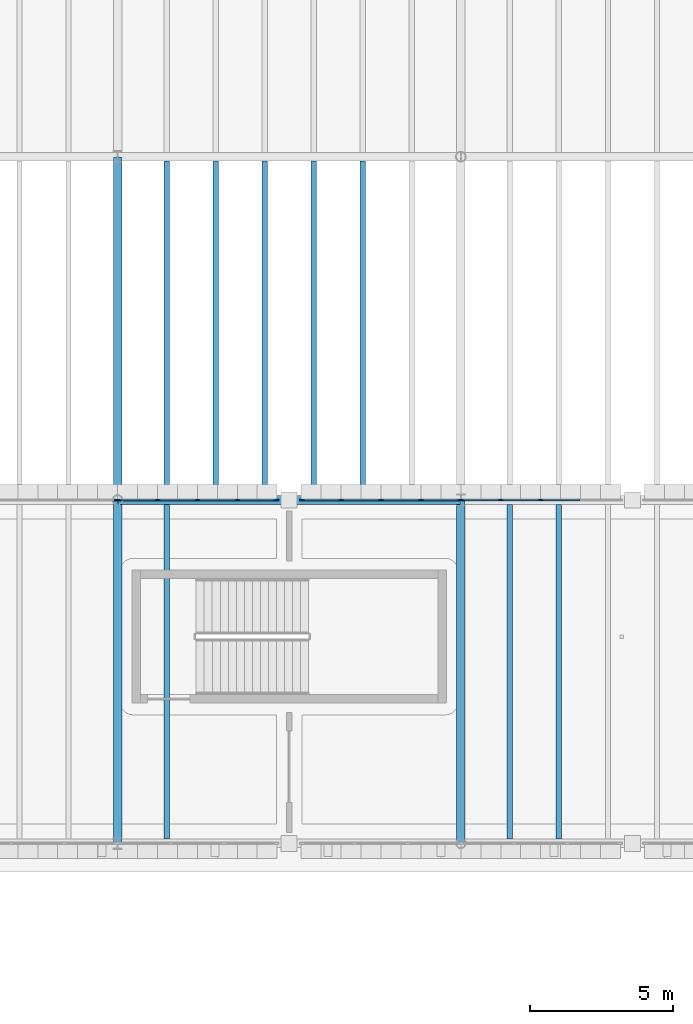
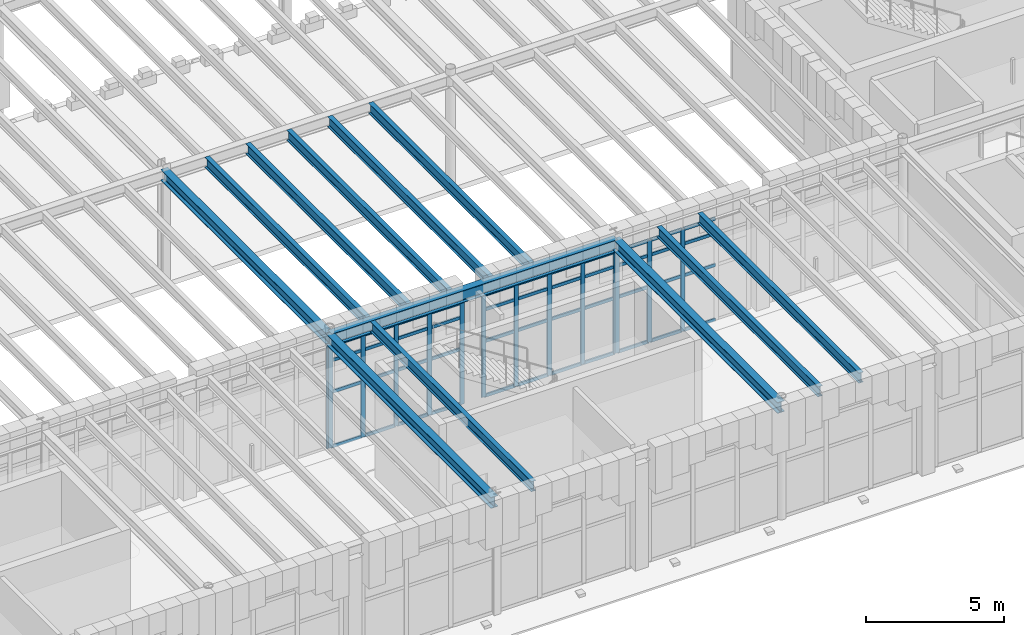
# One storey, part 34 of 100: 58 members, 12 beams, 4 elements without a shape of their own.
"""IFC4 building model written with IfcOpenShell, lengths in metres."""

import ifcopenshell
import ifcopenshell.guid

model = None  # the IFC model being written
_history = None  # IfcOwnerHistory: only IFC2X3 demands one
_inside = {}  # id of a spatial element -> (the spatial element, [elements in it])
_under = {}  # id of a project, library or spatial element -> (it, [spatial elements below it])
_declared = {}  # id of a project -> (the project, [libraries it declares])
_typed = {}  # id of a type object -> (the type object, [elements of that type])
_made_of = {}  # id of a material, layer set ... -> (it, [elements and type objects made of it])


def new_model(schema):
    """Start an empty IFC model of exactly this schema.

    Asked for "IFC4X3", IfcOpenShell would pick the latest addendum, in which some entities
    have other attributes; the version numbers below select the first issue.
    IFC2X3 requires an IfcOwnerHistory on every rooted entity: one is made here for all.
    """
    global model, _history
    if schema == "IFC4X3":
        model = ifcopenshell.file(schema_version=(4, 3, 0, 0))
    else:
        model = ifcopenshell.file(schema=schema)
    _inside.clear()
    _under.clear()
    _declared.clear()
    _typed.clear()
    _made_of.clear()
    _history = None
    if model.schema == "IFC2X3":
        org = make("IfcOrganization", Name="unknown")
        user = make(
            "IfcPersonAndOrganization",
            ThePerson=make("IfcPerson", FamilyName="unknown"),
            TheOrganization=org,
        )
        app = make(
            "IfcApplication",
            ApplicationDeveloper=org,
            Version="unknown",
            ApplicationFullName="unknown",
            ApplicationIdentifier="unknown",
        )
        _history = make(
            "IfcOwnerHistory",
            OwningUser=user,
            OwningApplication=app,
            ChangeAction="ADDED",
            CreationDate=0,
        )
    return model


def make(cls, **values):
    """One entity of the class cls with the attributes given. An attribute that is None is left unset."""
    return model.create_entity(
        cls, **{name: value for name, value in values.items() if value is not None}
    )


def rooted(cls, **values):
    """An entity with a GlobalId (a new one), such as an element, a storey or a relation."""
    return make(cls, GlobalId=ifcopenshell.guid.new(), OwnerHistory=_history, **values)


def si_unit(unit_type, name, prefix=None):
    """IfcSIUnit, for example si_unit("LENGTHUNIT", "METRE", prefix="MILLI")."""
    return make("IfcSIUnit", UnitType=unit_type, Prefix=prefix, Name=name)


def assignment(units):
    """IfcUnitAssignment: the units of a project."""
    return None if units is None else make("IfcUnitAssignment", Units=units)


def point(xyz):
    """IfcCartesianPoint."""
    return None if xyz is None else make("IfcCartesianPoint", Coordinates=xyz)


def direction(xyz):
    """IfcDirection."""
    return None if xyz is None else make("IfcDirection", DirectionRatios=xyz)


def frame(location, z_axis=None, x_axis=None):
    """IfcAxis2Placement3D, a coordinate frame: its origin and axes. An axis left out is left unset."""
    return make(
        "IfcAxis2Placement3D",
        Location=point(location),
        Axis=direction(z_axis),
        RefDirection=direction(x_axis),
    )


def frame_2d(location, x_axis=None):
    """IfcAxis2Placement2D, a coordinate frame in the plane: its origin and x axis."""
    return make(
        "IfcAxis2Placement2D", Location=point(location), RefDirection=direction(x_axis)
    )


def origin():
    """The frame at (0, 0, 0) with its axes left unset."""
    return frame((0.0, 0.0, 0.0))


def origin_2d():
    """The frame at (0, 0) in the plane with its x axis left unset."""
    return frame_2d((0.0, 0.0))


def place(relative_to, where):
    """IfcLocalPlacement: puts the frame where relative to a parent placement (None: the world)."""
    return make(
        "IfcLocalPlacement", PlacementRelTo=relative_to, RelativePlacement=where
    )


def context(
    kind, dimensions, precision=None, world=None, true_north=None, identifier=None
):
    """IfcGeometricRepresentationContext, for example the 3D "Model" context."""
    return make(
        "IfcGeometricRepresentationContext",
        ContextIdentifier=identifier,
        ContextType=kind,
        CoordinateSpaceDimension=dimensions,
        Precision=precision,
        WorldCoordinateSystem=world,
        TrueNorth=true_north,
    )


def subcontext(parent, identifier, kind, view, scale=None):
    """IfcGeometricRepresentationSubContext, for example "Body" below "Model"."""
    return make(
        "IfcGeometricRepresentationSubContext",
        ContextIdentifier=identifier,
        ContextType=kind,
        ParentContext=parent,
        TargetScale=scale,
        TargetView=view,
    )


def project(units=None, contexts=None):
    """IfcProject with its units and contexts."""
    return rooted(
        "IfcProject",
        Name="project",
        RepresentationContexts=contexts,
        UnitsInContext=assignment(units),
    )


def spatial(cls, under=None, at=None, **own):
    """A site, building, storey or space (cls), placed at a placement, below another one or the project."""
    s = rooted(cls, ObjectPlacement=at, **own)
    if under is not None:
        _under.setdefault(under.id(), (under, []))[1].append(s)
    return s


def profile(cls, at=None, kind="AREA", **sizes):
    """A parametric profile (cls). Its sizes go by their IFC names, for example OverallWidth=200.0."""
    return make(cls, ProfileType=kind, Position=at, **sizes)


def rectangle(**sizes):
    """IfcRectangleProfileDef."""
    return profile("IfcRectangleProfileDef", **sizes)


def i_section(**sizes):
    """IfcIShapeProfileDef."""
    return profile("IfcIShapeProfileDef", **sizes)


def extrude(swept, where, along, depth):
    """IfcExtrudedAreaSolid: the profile swept, set in the frame where, extruded along a direction by depth."""
    return make(
        "IfcExtrudedAreaSolid",
        SweptArea=swept,
        Position=where,
        ExtrudedDirection=direction(along),
        Depth=depth,
    )


def shape(context_of_items, identifier, shape_type, items):
    """IfcShapeRepresentation: the items that make up one representation, for example the "Body"."""
    return make(
        "IfcShapeRepresentation",
        ContextOfItems=context_of_items,
        RepresentationIdentifier=identifier,
        RepresentationType=shape_type,
        Items=items,
    )


def material(Name=None, Category=None):
    """IfcMaterial."""
    return make("IfcMaterial", Name=Name, Category=Category)


def layer(
    of_material, thickness, ventilated=None, Name=None, Category=None, Priority=None
):
    """IfcMaterialLayer: one layer of a wall or slab, of a material (None: an air gap)."""
    return make(
        "IfcMaterialLayer",
        Material=of_material,
        LayerThickness=thickness,
        IsVentilated=ventilated,
        Name=Name,
        Category=Category,
        Priority=Priority,
    )


def layer_set(layers, Name=None):
    """IfcMaterialLayerSet."""
    return make("IfcMaterialLayerSet", MaterialLayers=layers, LayerSetName=Name)


def material_profile(
    of_material, cross_section, Name=None, Category=None, Priority=None
):
    """IfcMaterialProfile: a cross section and its material."""
    return make(
        "IfcMaterialProfile",
        Name=Name,
        Material=of_material,
        Profile=cross_section,
        Priority=Priority,
        Category=Category,
    )


def profile_set(profiles, Name=None, composite=None):
    """IfcMaterialProfileSet."""
    return make(
        "IfcMaterialProfileSet",
        Name=Name,
        MaterialProfiles=profiles,
        CompositeProfile=composite,
    )


def made_of(thing, what):
    """Note that an element or type object is made of a material, layer set ...; save() writes the relation."""
    if what is not None:
        _made_of.setdefault(what.id(), (what, []))[1].append(thing)
    return thing


def type_object(cls, material=None, **own):
    """A type object (cls), such as IfcWallType, which elements share."""
    return made_of(rooted(cls, **own), material)


def element(
    cls,
    number,
    at=None,
    inside=None,
    cuts=None,
    type_object=None,
    material=None,
    context=None,
    identifier="Body",
    shape_type=None,
    held_by="IfcProductDefinitionShape",
    body=None,
    shapes=None,
    **own,
):
    """One element of the class cls, such as IfcWall. Its Tag is "e" and its number.

    at: its placement. inside: the storey or other place that contains it. cuts: it is an
    opening in that element (IfcRelVoidsElement). A single representation is given by context,
    identifier, shape_type and body (its items); several are given by shapes. held_by: the class
    of the entity that holds the representations. save() writes the other relations.
    """
    e = rooted(cls, Tag="e%d" % number, ObjectPlacement=at, **own)
    if body is not None:
        shapes = [shape(context, identifier, shape_type, body)]
    if shapes is not None:
        e.Representation = make(held_by, Representations=shapes)
    if inside is not None:
        _inside.setdefault(inside.id(), (inside, []))[1].append(e)
    if cuts is not None:
        rooted(
            "IfcRelVoidsElement", RelatingBuildingElement=cuts, RelatedOpeningElement=e
        )
    if type_object is not None:
        _typed.setdefault(type_object.id(), (type_object, []))[1].append(e)
    return made_of(e, material)


def aggregate(whole, parts):
    """IfcRelAggregates: a whole, such as a stair, and the parts it consists of."""
    return rooted("IfcRelAggregates", RelatingObject=whole, RelatedObjects=parts)


def save(model, path):
    """Write the relations noted so far, then the file.

    IfcRelAggregates (storeys below a building ...), IfcRelContainedInSpatialStructure (elements
    in a storey), IfcRelDefinesByType, IfcRelAssociatesMaterial and IfcRelDeclares: one each for
    every whole, place, type object, material and project.
    """
    for whole, parts in _under.values():
        aggregate(whole, parts)
    for where, things in _inside.values():
        rooted(
            "IfcRelContainedInSpatialStructure",
            RelatedElements=things,
            RelatingStructure=where,
        )
    for kind, things in _typed.values():
        rooted("IfcRelDefinesByType", RelatedObjects=things, RelatingType=kind)
    for what, things in _made_of.values():
        rooted("IfcRelAssociatesMaterial", RelatedObjects=things, RelatingMaterial=what)
    for by, libraries in _declared.values():
        rooted("IfcRelDeclares", RelatingContext=by, RelatedDefinitions=libraries)
    model.write(path)


model = new_model("IFC4")

# Units and contexts
model_context = context("Model", 3, precision=1e-05, world=origin(), true_north=direction((0.0, 1.0)))
body_context = subcontext(model_context, "Body", "Model", "MODEL_VIEW")
ifc_project = project(units=[si_unit("LENGTHUNIT", "METRE"), si_unit("AREAUNIT", "SQUARE_METRE"), si_unit("VOLUMEUNIT", "CUBIC_METRE"), si_unit("PLANEANGLEUNIT", "RADIAN"), si_unit("MASSUNIT", "GRAM", prefix="KILO")], contexts=[model_context])

# Site, building, storey
site_placement = place(None, origin())
site = spatial("IfcSite", under=ifc_project, at=site_placement, CompositionType="ELEMENT")
building_placement = place(site_placement, origin())
building = spatial("IfcBuilding", under=site, at=building_placement, Name="Zlatogorsky Bluff Art Gallery", CompositionType="ELEMENT")
storey_placement = place(building_placement, frame((0.0, 0.0, 5.39990234375)))
storey = spatial("IfcBuildingStorey", under=building, at=storey_placement, Name="L01", CompositionType="ELEMENT", Elevation=5.39990234375)

# Beams
ifc_material_1 = material(Name="Steel S355", Category="steel")
ifc_material_profile_1 = material_profile(ifc_material_1, i_section(OverallWidth=0.300048828125, OverallDepth=0.5400390625, WebThickness=0.012451171875, FlangeThickness=0.02392578125, FilletRadius=0.027099609375, at=origin_2d()), Name="HEA 550")
ifc_profile_set_1 = profile_set([ifc_material_profile_1], Name="Steel S355")
beam_type_1 = type_object("IfcBeamType", Name="Beam BM-06 HEA 550", PredefinedType="BEAM", material=ifc_profile_set_1)
beam_placement = place(storey_placement, frame((96.014892578125, 96.0, 4.840087890625), z_axis=(1.0, 0.0, 0.0), x_axis=(0.0, 1.0, 0.0)))
element("IfcBeam", 1, at=beam_placement, inside=storey, type_object=beam_type_1, Name="Primary girder BM-06 L01 J-K/10", PredefinedType="BEAM", context=body_context, shape_type="SweptSolid", body=[
    extrude(i_section(OverallWidth=0.300048828125, OverallDepth=0.5400390625, WebThickness=0.012451171875, FlangeThickness=0.02392578125, FilletRadius=0.027099609375, at=origin_2d()), origin(), (0.0, 0.0, 1.0), 11.97021484375),
])
ifc_material_profile_2 = material_profile(ifc_material_1, i_section(OverallWidth=0.300048828125, OverallDepth=0.489990234375, WebThickness=0.011962890625, FlangeThickness=0.02294921875, FilletRadius=0.027099609375, at=origin_2d()), Name="HEA 500")
ifc_profile_set_2 = profile_set([ifc_material_profile_2], Name="Steel S355")
beam_type_2 = type_object("IfcBeamType", Name="Beam BM-07 HEA 500", PredefinedType="BEAM", material=ifc_profile_set_2)
for number, where, z_axis, x_axis, name in (
    (2, (96.0, 84.014892578125, 4.864990234375), (0.0, 1.0, 0.0), (-1.0, 0.0, 0.0), "Primary girder BM-07 L01 J/9-10"),
    (3, (96.0, 96.014892578125, 4.864990234375), (0.0, 1.0, 0.0), (-1.0, 0.0, 0.0), "Primary girder BM-07 L01 J/10-11"),
    (4, (108.0, 84.014892578125, 4.864990234375), (0.0, 1.0, 0.0), (-1.0, 0.0, 0.0), "Primary girder BM-07 L01 K/9-10"),
):
    element("IfcBeam", number, at=place(storey_placement, frame(where, z_axis=z_axis, x_axis=x_axis)), inside=storey, type_object=beam_type_2, Name=name, PredefinedType="BEAM", context=body_context, shape_type="SweptSolid", body=[
        extrude(i_section(OverallWidth=0.300048828125, OverallDepth=0.489990234375, WebThickness=0.011962890625, FlangeThickness=0.02294921875, FilletRadius=0.027099609375, at=origin_2d()), origin(), (0.0, 0.0, 1.0), 11.97021484375),
    ])
ifc_material_profile_3 = material_profile(ifc_material_1, i_section(OverallWidth=0.18994140625, OverallDepth=0.449951171875, WebThickness=0.009521484375, FlangeThickness=0.0146484375, FilletRadius=0.02099609375, at=origin_2d()), Name="IPE 450")
ifc_profile_set_3 = profile_set([ifc_material_profile_3], Name="Steel S355")
beam_type_3 = type_object("IfcBeamType", Name="Beam JS-06 IPE 450", PredefinedType="JOIST", material=ifc_profile_set_3)
for number, where, z_axis, x_axis, name in (
    (5, (97.71435546875, 84.14990234375, 4.885009765625), (0.0, 1.0, 0.0), (-1.0, 0.0, 0.0), "Composite floor joist JS-06 L01 08.08.1"),
    (6, (97.71435546875, 96.14990234375, 4.885009765625), (0.0, 1.0, 0.0), (-1.0, 0.0, 0.0), "Composite floor joist JS-06 L01 08.09.1"),
    (7, (99.428466796875, 96.14990234375, 4.885009765625), (0.0, 1.0, 0.0), (-1.0, 0.0, 0.0), "Composite floor joist JS-06 L01 08.09.2"),
    (8, (101.142822265625, 96.14990234375, 4.885009765625), (0.0, 1.0, 0.0), (-1.0, 0.0, 0.0), "Composite floor joist JS-06 L01 08.09.3"),
    (9, (102.857177734375, 96.14990234375, 4.885009765625), (0.0, 1.0, 0.0), (-1.0, 0.0, 0.0), "Composite floor joist JS-06 L01 08.09.4"),
    (10, (104.571533203125, 96.14990234375, 4.885009765625), (0.0, 1.0, 0.0), (-1.0, 0.0, 0.0), "Composite floor joist JS-06 L01 08.09.5"),
    (11, (109.71435546875, 84.14990234375, 4.885009765625), (0.0, 1.0, 0.0), (-1.0, 0.0, 0.0), "Composite floor joist JS-06 L01 09.08.1"),
    (12, (111.428466796875, 84.14990234375, 4.885009765625), (0.0, 1.0, 0.0), (-1.0, 0.0, 0.0), "Composite floor joist JS-06 L01 09.08.2"),
):
    element("IfcBeam", number, at=place(storey_placement, frame(where, z_axis=z_axis, x_axis=x_axis)), inside=storey, type_object=beam_type_3, Name=name, PredefinedType="JOIST", context=body_context, shape_type="SweptSolid", body=[
        extrude(i_section(OverallWidth=0.18994140625, OverallDepth=0.449951171875, WebThickness=0.009521484375, FlangeThickness=0.0146484375, FilletRadius=0.02099609375, at=origin_2d()), origin(), (0.0, 0.0, 1.0), 11.7001953125),
    ])

# Curtain wall, member
ifc_material_2 = material(Name="Anodised Bronze Aluminium and Low-Iron Triple Glazing", Category="aluminium")
ifc_layer = layer(ifc_material_2, 0.199951171875)
ifc_layer_set = layer_set([ifc_layer], Name="Curtain Wall CW-02")
curtain_wall_type = type_object("IfcCurtainWallType", Name="Curtain Wall CW-02", PredefinedType="USERDEFINED", material=ifc_layer_set)
curtain_wall_1_placement = place(storey_placement, origin())
curtain_wall_1 = element("IfcCurtainWall", 13, at=curtain_wall_1_placement, inside=storey, type_object=curtain_wall_type, Name="Unitised curtain wall CW-02 L01 N 7.8-A", ObjectType="CURTAIN WALL", PredefinedType="USERDEFINED")
ifc_material_3 = material(Name="Anodised Bronze Aluminium", Category="aluminium")
ifc_material_profile_4 = material_profile(ifc_material_3, rectangle(XDim=0.06494140625, YDim=0.179931640625, at=origin_2d()), Name="ALU MULLION 65x180")
ifc_profile_set_4 = profile_set([ifc_material_profile_4], Name="Anodised Bronze Aluminium")
member_type_1 = type_object("IfcMemberType", Name="Curtain Mullion ML-01", PredefinedType="MULLION", material=ifc_profile_set_4)
member_1_placement = place(storey_placement, frame((95.967529296875, 96.0, 0.0), z_axis=(0.0, 0.0, 1.0), x_axis=(0.0, -1.0, 0.0)))
member_1 = element("IfcMember", 14, at=member_1_placement, type_object=member_type_1, Name="CW-02 mullion 1", PredefinedType="MULLION", context=body_context, shape_type="SweptSolid", body=[
    extrude(rectangle(XDim=0.06494140625, YDim=0.179931640625, at=origin_2d()), origin(), (0.0, 0.0, 1.0), 4.530029296875),
])
aggregate(curtain_wall_1, [member_1])

# Curtain wall, members
curtain_wall_2_placement = place(storey_placement, origin())
curtain_wall_2 = element("IfcCurtainWall", 15, at=curtain_wall_2_placement, inside=storey, type_object=curtain_wall_type, Name="Unitised curtain wall CW-02 L01 N 8.8-A", ObjectType="CURTAIN WALL", PredefinedType="USERDEFINED")
member_2_placement = place(storey_placement, frame((107.967529296875, 96.0, 0.0), z_axis=(0.0, 0.0, 1.0), x_axis=(0.0, -1.0, 0.0)))
member_2 = element("IfcMember", 16, at=member_2_placement, type_object=member_type_1, Name="CW-02 mullion 1", PredefinedType="MULLION", context=body_context, shape_type="SweptSolid", body=[
    extrude(rectangle(XDim=0.06494140625, YDim=0.179931640625, at=origin_2d()), origin(), (0.0, 0.0, 1.0), 4.530029296875),
])
member_3_placement = place(storey_placement, frame((106.60498046875, 96.0, 0.0), z_axis=(0.0, 0.0, 1.0), x_axis=(0.0, -1.0, 0.0)))
member_3 = element("IfcMember", 17, at=member_3_placement, type_object=member_type_1, Name="CW-02 mullion 2", PredefinedType="MULLION", context=body_context, shape_type="SweptSolid", body=[
    extrude(rectangle(XDim=0.06494140625, YDim=0.179931640625, at=origin_2d()), origin(), (0.0, 0.0, 1.0), 4.530029296875),
])
member_4_placement = place(storey_placement, frame((105.2099609375, 96.0, 0.0), z_axis=(0.0, 0.0, 1.0), x_axis=(0.0, -1.0, 0.0)))
member_4 = element("IfcMember", 18, at=member_4_placement, type_object=member_type_1, Name="CW-02 mullion 3", PredefinedType="MULLION", context=body_context, shape_type="SweptSolid", body=[
    extrude(rectangle(XDim=0.06494140625, YDim=0.179931640625, at=origin_2d()), origin(), (0.0, 0.0, 1.0), 4.530029296875),
])
member_5_placement = place(storey_placement, frame((103.81494140625, 96.0, 0.0), z_axis=(0.0, 0.0, 1.0), x_axis=(0.0, -1.0, 0.0)))
member_5 = element("IfcMember", 19, at=member_5_placement, type_object=member_type_1, Name="CW-02 mullion 4", PredefinedType="MULLION", context=body_context, shape_type="SweptSolid", body=[
    extrude(rectangle(XDim=0.06494140625, YDim=0.179931640625, at=origin_2d()), origin(), (0.0, 0.0, 1.0), 4.530029296875),
])
member_6_placement = place(storey_placement, frame((102.452392578125, 96.0, 0.0), z_axis=(0.0, 0.0, 1.0), x_axis=(0.0, -1.0, 0.0)))
member_6 = element("IfcMember", 20, at=member_6_placement, type_object=member_type_1, Name="CW-02 mullion 5", PredefinedType="MULLION", context=body_context, shape_type="SweptSolid", body=[
    extrude(rectangle(XDim=0.06494140625, YDim=0.179931640625, at=origin_2d()), origin(), (0.0, 0.0, 1.0), 4.530029296875),
])

curtain_wall_3_placement = place(storey_placement, origin())
curtain_wall_3 = element("IfcCurtainWall", 21, at=curtain_wall_3_placement, inside=storey, type_object=curtain_wall_type, Name="Unitised curtain wall CW-02 L01 N 8.8-B", ObjectType="CURTAIN WALL", PredefinedType="USERDEFINED")
member_7_placement = place(storey_placement, frame((101.547607421875, 96.0, 0.0), z_axis=(0.0, 0.0, 1.0), x_axis=(0.0, -1.0, 0.0)))
member_7 = element("IfcMember", 22, at=member_7_placement, type_object=member_type_1, Name="CW-02 mullion 1", PredefinedType="MULLION", context=body_context, shape_type="SweptSolid", body=[
    extrude(rectangle(XDim=0.06494140625, YDim=0.179931640625, at=origin_2d()), origin(), (0.0, 0.0, 1.0), 4.530029296875),
])
member_8_placement = place(storey_placement, frame((100.18505859375, 96.0, 0.0), z_axis=(0.0, 0.0, 1.0), x_axis=(0.0, -1.0, 0.0)))
member_8 = element("IfcMember", 23, at=member_8_placement, type_object=member_type_1, Name="CW-02 mullion 2", PredefinedType="MULLION", context=body_context, shape_type="SweptSolid", body=[
    extrude(rectangle(XDim=0.06494140625, YDim=0.179931640625, at=origin_2d()), origin(), (0.0, 0.0, 1.0), 4.530029296875),
])
member_9_placement = place(storey_placement, frame((98.7900390625, 96.0, 0.0), z_axis=(0.0, 0.0, 1.0), x_axis=(0.0, -1.0, 0.0)))
member_9 = element("IfcMember", 24, at=member_9_placement, type_object=member_type_1, Name="CW-02 mullion 3", PredefinedType="MULLION", context=body_context, shape_type="SweptSolid", body=[
    extrude(rectangle(XDim=0.06494140625, YDim=0.179931640625, at=origin_2d()), origin(), (0.0, 0.0, 1.0), 4.530029296875),
])
member_10_placement = place(storey_placement, frame((97.39501953125, 96.0, 0.0), z_axis=(0.0, 0.0, 1.0), x_axis=(0.0, -1.0, 0.0)))
member_10 = element("IfcMember", 25, at=member_10_placement, type_object=member_type_1, Name="CW-02 mullion 4", PredefinedType="MULLION", context=body_context, shape_type="SweptSolid", body=[
    extrude(rectangle(XDim=0.06494140625, YDim=0.179931640625, at=origin_2d()), origin(), (0.0, 0.0, 1.0), 4.530029296875),
])
member_11_placement = place(storey_placement, frame((96.032470703125, 96.0, 0.0), z_axis=(0.0, 0.0, 1.0), x_axis=(0.0, -1.0, 0.0)))
member_11 = element("IfcMember", 26, at=member_11_placement, type_object=member_type_1, Name="CW-02 mullion 5", PredefinedType="MULLION", context=body_context, shape_type="SweptSolid", body=[
    extrude(rectangle(XDim=0.06494140625, YDim=0.179931640625, at=origin_2d()), origin(), (0.0, 0.0, 1.0), 4.530029296875),
])

curtain_wall_4_placement = place(storey_placement, origin())
curtain_wall_4 = element("IfcCurtainWall", 27, at=curtain_wall_4_placement, inside=storey, type_object=curtain_wall_type, Name="Unitised curtain wall CW-02 L01 N 9.8-B", ObjectType="CURTAIN WALL", PredefinedType="USERDEFINED")
member_12_placement = place(storey_placement, frame((110.7900390625, 96.0, 0.0), z_axis=(0.0, 0.0, 1.0), x_axis=(0.0, -1.0, 0.0)))
member_12 = element("IfcMember", 28, at=member_12_placement, type_object=member_type_1, Name="CW-02 mullion 3", PredefinedType="MULLION", context=body_context, shape_type="SweptSolid", body=[
    extrude(rectangle(XDim=0.06494140625, YDim=0.179931640625, at=origin_2d()), origin(), (0.0, 0.0, 1.0), 4.530029296875),
])
member_13_placement = place(storey_placement, frame((109.39501953125, 96.0, 0.0), z_axis=(0.0, 0.0, 1.0), x_axis=(0.0, -1.0, 0.0)))
member_13 = element("IfcMember", 29, at=member_13_placement, type_object=member_type_1, Name="CW-02 mullion 4", PredefinedType="MULLION", context=body_context, shape_type="SweptSolid", body=[
    extrude(rectangle(XDim=0.06494140625, YDim=0.179931640625, at=origin_2d()), origin(), (0.0, 0.0, 1.0), 4.530029296875),
])
member_14_placement = place(storey_placement, frame((108.032470703125, 96.0, 0.0), z_axis=(0.0, 0.0, 1.0), x_axis=(0.0, -1.0, 0.0)))
member_14 = element("IfcMember", 30, at=member_14_placement, type_object=member_type_1, Name="CW-02 mullion 5", PredefinedType="MULLION", context=body_context, shape_type="SweptSolid", body=[
    extrude(rectangle(XDim=0.06494140625, YDim=0.179931640625, at=origin_2d()), origin(), (0.0, 0.0, 1.0), 4.530029296875),
])

# Member
ifc_material_profile_5 = material_profile(ifc_material_3, rectangle(XDim=0.06494140625, YDim=0.139892578125, at=origin_2d()), Name="ALU TRANSOM 65x140")
ifc_profile_set_5 = profile_set([ifc_material_profile_5], Name="Anodised Bronze Aluminium")
member_type_2 = type_object("IfcMemberType", Name="Curtain Transom TR-01", PredefinedType="USERDEFINED", material=ifc_profile_set_5)
member_15_placement = place(storey_placement, frame((107.93505859375, 96.0, 0.03271484375), z_axis=(-1.0, 0.0, 0.0), x_axis=(0.0, -1.0, 0.0)))
member_15 = element("IfcMember", 31, at=member_15_placement, type_object=member_type_2, Name="CW-02 transom 1.1", ObjectType="TRANSOM", PredefinedType="USERDEFINED", context=body_context, shape_type="SweptSolid", body=[
    extrude(rectangle(XDim=0.06494140625, YDim=0.139892578125, at=origin_2d()), origin(), (0.0, 0.0, 1.0), 1.297607421875),
])

member_16_placement = place(storey_placement, frame((107.93505859375, 96.0, 2.4501953125), z_axis=(-1.0, 0.0, 0.0), x_axis=(0.0, -1.0, 0.0)))
member_16 = element("IfcMember", 32, at=member_16_placement, type_object=member_type_2, Name="CW-02 transom 1.2", ObjectType="TRANSOM", PredefinedType="USERDEFINED", context=body_context, shape_type="SweptSolid", body=[
    extrude(rectangle(XDim=0.06494140625, YDim=0.139892578125, at=origin_2d()), origin(), (0.0, 0.0, 1.0), 1.297607421875),
])

member_17_placement = place(storey_placement, frame((107.93505859375, 96.0, 3.85009765625), z_axis=(-1.0, 0.0, 0.0), x_axis=(0.0, -1.0, 0.0)))
member_17 = element("IfcMember", 33, at=member_17_placement, type_object=member_type_2, Name="CW-02 transom 1.3", ObjectType="TRANSOM", PredefinedType="USERDEFINED", context=body_context, shape_type="SweptSolid", body=[
    extrude(rectangle(XDim=0.06494140625, YDim=0.139892578125, at=origin_2d()), origin(), (0.0, 0.0, 1.0), 1.297607421875),
])

member_18_placement = place(storey_placement, frame((107.93505859375, 96.0, 4.49755859375), z_axis=(-1.0, 0.0, 0.0), x_axis=(0.0, -1.0, 0.0)))
member_18 = element("IfcMember", 34, at=member_18_placement, type_object=member_type_2, Name="CW-02 transom 1.4", ObjectType="TRANSOM", PredefinedType="USERDEFINED", context=body_context, shape_type="SweptSolid", body=[
    extrude(rectangle(XDim=0.06494140625, YDim=0.139892578125, at=origin_2d()), origin(), (0.0, 0.0, 1.0), 1.297607421875),
])

member_19_placement = place(storey_placement, frame((106.572509765625, 96.0, 0.03271484375), z_axis=(-1.0, 0.0, 0.0), x_axis=(0.0, -1.0, 0.0)))
member_19 = element("IfcMember", 35, at=member_19_placement, type_object=member_type_2, Name="CW-02 transom 2.1", ObjectType="TRANSOM", PredefinedType="USERDEFINED", context=body_context, shape_type="SweptSolid", body=[
    extrude(rectangle(XDim=0.06494140625, YDim=0.139892578125, at=origin_2d()), origin(), (0.0, 0.0, 1.0), 1.330078125),
])

member_20_placement = place(storey_placement, frame((106.572509765625, 96.0, 2.4501953125), z_axis=(-1.0, 0.0, 0.0), x_axis=(0.0, -1.0, 0.0)))
member_20 = element("IfcMember", 36, at=member_20_placement, type_object=member_type_2, Name="CW-02 transom 2.2", ObjectType="TRANSOM", PredefinedType="USERDEFINED", context=body_context, shape_type="SweptSolid", body=[
    extrude(rectangle(XDim=0.06494140625, YDim=0.139892578125, at=origin_2d()), origin(), (0.0, 0.0, 1.0), 1.330078125),
])

member_21_placement = place(storey_placement, frame((106.572509765625, 96.0, 3.85009765625), z_axis=(-1.0, 0.0, 0.0), x_axis=(0.0, -1.0, 0.0)))
member_21 = element("IfcMember", 37, at=member_21_placement, type_object=member_type_2, Name="CW-02 transom 2.3", ObjectType="TRANSOM", PredefinedType="USERDEFINED", context=body_context, shape_type="SweptSolid", body=[
    extrude(rectangle(XDim=0.06494140625, YDim=0.139892578125, at=origin_2d()), origin(), (0.0, 0.0, 1.0), 1.330078125),
])

member_22_placement = place(storey_placement, frame((106.572509765625, 96.0, 4.49755859375), z_axis=(-1.0, 0.0, 0.0), x_axis=(0.0, -1.0, 0.0)))
member_22 = element("IfcMember", 38, at=member_22_placement, type_object=member_type_2, Name="CW-02 transom 2.4", ObjectType="TRANSOM", PredefinedType="USERDEFINED", context=body_context, shape_type="SweptSolid", body=[
    extrude(rectangle(XDim=0.06494140625, YDim=0.139892578125, at=origin_2d()), origin(), (0.0, 0.0, 1.0), 1.330078125),
])

member_23_placement = place(storey_placement, frame((105.177490234375, 96.0, 0.03271484375), z_axis=(-1.0, 0.0, 0.0), x_axis=(0.0, -1.0, 0.0)))
member_23 = element("IfcMember", 39, at=member_23_placement, type_object=member_type_2, Name="CW-02 transom 3.1", ObjectType="TRANSOM", PredefinedType="USERDEFINED", context=body_context, shape_type="SweptSolid", body=[
    extrude(rectangle(XDim=0.06494140625, YDim=0.139892578125, at=origin_2d()), origin(), (0.0, 0.0, 1.0), 1.330078125),
])

member_24_placement = place(storey_placement, frame((105.177490234375, 96.0, 2.4501953125), z_axis=(-1.0, 0.0, 0.0), x_axis=(0.0, -1.0, 0.0)))
member_24 = element("IfcMember", 40, at=member_24_placement, type_object=member_type_2, Name="CW-02 transom 3.2", ObjectType="TRANSOM", PredefinedType="USERDEFINED", context=body_context, shape_type="SweptSolid", body=[
    extrude(rectangle(XDim=0.06494140625, YDim=0.139892578125, at=origin_2d()), origin(), (0.0, 0.0, 1.0), 1.330078125),
])

member_25_placement = place(storey_placement, frame((105.177490234375, 96.0, 3.85009765625), z_axis=(-1.0, 0.0, 0.0), x_axis=(0.0, -1.0, 0.0)))
member_25 = element("IfcMember", 41, at=member_25_placement, type_object=member_type_2, Name="CW-02 transom 3.3", ObjectType="TRANSOM", PredefinedType="USERDEFINED", context=body_context, shape_type="SweptSolid", body=[
    extrude(rectangle(XDim=0.06494140625, YDim=0.139892578125, at=origin_2d()), origin(), (0.0, 0.0, 1.0), 1.330078125),
])

member_26_placement = place(storey_placement, frame((105.177490234375, 96.0, 4.49755859375), z_axis=(-1.0, 0.0, 0.0), x_axis=(0.0, -1.0, 0.0)))
member_26 = element("IfcMember", 42, at=member_26_placement, type_object=member_type_2, Name="CW-02 transom 3.4", ObjectType="TRANSOM", PredefinedType="USERDEFINED", context=body_context, shape_type="SweptSolid", body=[
    extrude(rectangle(XDim=0.06494140625, YDim=0.139892578125, at=origin_2d()), origin(), (0.0, 0.0, 1.0), 1.330078125),
])

member_27_placement = place(storey_placement, frame((103.782470703125, 96.0, 0.03271484375), z_axis=(-1.0, 0.0, 0.0), x_axis=(0.0, -1.0, 0.0)))
member_27 = element("IfcMember", 43, at=member_27_placement, type_object=member_type_2, Name="CW-02 transom 4.1", ObjectType="TRANSOM", PredefinedType="USERDEFINED", context=body_context, shape_type="SweptSolid", body=[
    extrude(rectangle(XDim=0.06494140625, YDim=0.139892578125, at=origin_2d()), origin(), (0.0, 0.0, 1.0), 1.29736328125),
])

member_28_placement = place(storey_placement, frame((103.782470703125, 96.0, 2.4501953125), z_axis=(-1.0, 0.0, 0.0), x_axis=(0.0, -1.0, 0.0)))
member_28 = element("IfcMember", 44, at=member_28_placement, type_object=member_type_2, Name="CW-02 transom 4.2", ObjectType="TRANSOM", PredefinedType="USERDEFINED", context=body_context, shape_type="SweptSolid", body=[
    extrude(rectangle(XDim=0.06494140625, YDim=0.139892578125, at=origin_2d()), origin(), (0.0, 0.0, 1.0), 1.29736328125),
])

member_29_placement = place(storey_placement, frame((103.782470703125, 96.0, 3.85009765625), z_axis=(-1.0, 0.0, 0.0), x_axis=(0.0, -1.0, 0.0)))
member_29 = element("IfcMember", 45, at=member_29_placement, type_object=member_type_2, Name="CW-02 transom 4.3", ObjectType="TRANSOM", PredefinedType="USERDEFINED", context=body_context, shape_type="SweptSolid", body=[
    extrude(rectangle(XDim=0.06494140625, YDim=0.139892578125, at=origin_2d()), origin(), (0.0, 0.0, 1.0), 1.29736328125),
])

member_30_placement = place(storey_placement, frame((103.782470703125, 96.0, 4.49755859375), z_axis=(-1.0, 0.0, 0.0), x_axis=(0.0, -1.0, 0.0)))
member_30 = element("IfcMember", 46, at=member_30_placement, type_object=member_type_2, Name="CW-02 transom 4.4", ObjectType="TRANSOM", PredefinedType="USERDEFINED", context=body_context, shape_type="SweptSolid", body=[
    extrude(rectangle(XDim=0.06494140625, YDim=0.139892578125, at=origin_2d()), origin(), (0.0, 0.0, 1.0), 1.29736328125),
])

aggregate(curtain_wall_2, [member_2, member_3, member_4, member_5, member_6, member_15, member_16, member_17, member_18, member_19, member_20, member_21, member_22, member_23, member_24, member_25, member_26, member_27, member_28, member_29, member_30])

member_31_placement = place(storey_placement, frame((101.514892578125, 96.0, 0.03271484375), z_axis=(-1.0, 0.0, 0.0), x_axis=(0.0, -1.0, 0.0)))
member_31 = element("IfcMember", 47, at=member_31_placement, type_object=member_type_2, Name="CW-02 transom 1.1", ObjectType="TRANSOM", PredefinedType="USERDEFINED", context=body_context, shape_type="SweptSolid", body=[
    extrude(rectangle(XDim=0.06494140625, YDim=0.139892578125, at=origin_2d()), origin(), (0.0, 0.0, 1.0), 1.29736328125),
])

member_32_placement = place(storey_placement, frame((101.514892578125, 96.0, 2.4501953125), z_axis=(-1.0, 0.0, 0.0), x_axis=(0.0, -1.0, 0.0)))
member_32 = element("IfcMember", 48, at=member_32_placement, type_object=member_type_2, Name="CW-02 transom 1.2", ObjectType="TRANSOM", PredefinedType="USERDEFINED", context=body_context, shape_type="SweptSolid", body=[
    extrude(rectangle(XDim=0.06494140625, YDim=0.139892578125, at=origin_2d()), origin(), (0.0, 0.0, 1.0), 1.29736328125),
])

member_33_placement = place(storey_placement, frame((101.514892578125, 96.0, 3.85009765625), z_axis=(-1.0, 0.0, 0.0), x_axis=(0.0, -1.0, 0.0)))
member_33 = element("IfcMember", 49, at=member_33_placement, type_object=member_type_2, Name="CW-02 transom 1.3", ObjectType="TRANSOM", PredefinedType="USERDEFINED", context=body_context, shape_type="SweptSolid", body=[
    extrude(rectangle(XDim=0.06494140625, YDim=0.139892578125, at=origin_2d()), origin(), (0.0, 0.0, 1.0), 1.29736328125),
])

member_34_placement = place(storey_placement, frame((101.514892578125, 96.0, 4.49755859375), z_axis=(-1.0, 0.0, 0.0), x_axis=(0.0, -1.0, 0.0)))
member_34 = element("IfcMember", 50, at=member_34_placement, type_object=member_type_2, Name="CW-02 transom 1.4", ObjectType="TRANSOM", PredefinedType="USERDEFINED", context=body_context, shape_type="SweptSolid", body=[
    extrude(rectangle(XDim=0.06494140625, YDim=0.139892578125, at=origin_2d()), origin(), (0.0, 0.0, 1.0), 1.29736328125),
])

member_35_placement = place(storey_placement, frame((100.152587890625, 96.0, 0.03271484375), z_axis=(-1.0, 0.0, 0.0), x_axis=(0.0, -1.0, 0.0)))
member_35 = element("IfcMember", 51, at=member_35_placement, type_object=member_type_2, Name="CW-02 transom 2.1", ObjectType="TRANSOM", PredefinedType="USERDEFINED", context=body_context, shape_type="SweptSolid", body=[
    extrude(rectangle(XDim=0.06494140625, YDim=0.139892578125, at=origin_2d()), origin(), (0.0, 0.0, 1.0), 1.330078125),
])

member_36_placement = place(storey_placement, frame((100.152587890625, 96.0, 2.4501953125), z_axis=(-1.0, 0.0, 0.0), x_axis=(0.0, -1.0, 0.0)))
member_36 = element("IfcMember", 52, at=member_36_placement, type_object=member_type_2, Name="CW-02 transom 2.2", ObjectType="TRANSOM", PredefinedType="USERDEFINED", context=body_context, shape_type="SweptSolid", body=[
    extrude(rectangle(XDim=0.06494140625, YDim=0.139892578125, at=origin_2d()), origin(), (0.0, 0.0, 1.0), 1.330078125),
])

member_37_placement = place(storey_placement, frame((100.152587890625, 96.0, 3.85009765625), z_axis=(-1.0, 0.0, 0.0), x_axis=(0.0, -1.0, 0.0)))
member_37 = element("IfcMember", 53, at=member_37_placement, type_object=member_type_2, Name="CW-02 transom 2.3", ObjectType="TRANSOM", PredefinedType="USERDEFINED", context=body_context, shape_type="SweptSolid", body=[
    extrude(rectangle(XDim=0.06494140625, YDim=0.139892578125, at=origin_2d()), origin(), (0.0, 0.0, 1.0), 1.330078125),
])

member_38_placement = place(storey_placement, frame((100.152587890625, 96.0, 4.49755859375), z_axis=(-1.0, 0.0, 0.0), x_axis=(0.0, -1.0, 0.0)))
member_38 = element("IfcMember", 54, at=member_38_placement, type_object=member_type_2, Name="CW-02 transom 2.4", ObjectType="TRANSOM", PredefinedType="USERDEFINED", context=body_context, shape_type="SweptSolid", body=[
    extrude(rectangle(XDim=0.06494140625, YDim=0.139892578125, at=origin_2d()), origin(), (0.0, 0.0, 1.0), 1.330078125),
])

member_39_placement = place(storey_placement, frame((98.757568359375, 96.0, 0.03271484375), z_axis=(-1.0, 0.0, 0.0), x_axis=(0.0, -1.0, 0.0)))
member_39 = element("IfcMember", 55, at=member_39_placement, type_object=member_type_2, Name="CW-02 transom 3.1", ObjectType="TRANSOM", PredefinedType="USERDEFINED", context=body_context, shape_type="SweptSolid", body=[
    extrude(rectangle(XDim=0.06494140625, YDim=0.139892578125, at=origin_2d()), origin(), (0.0, 0.0, 1.0), 1.330078125),
])

member_40_placement = place(storey_placement, frame((98.757568359375, 96.0, 2.4501953125), z_axis=(-1.0, 0.0, 0.0), x_axis=(0.0, -1.0, 0.0)))
member_40 = element("IfcMember", 56, at=member_40_placement, type_object=member_type_2, Name="CW-02 transom 3.2", ObjectType="TRANSOM", PredefinedType="USERDEFINED", context=body_context, shape_type="SweptSolid", body=[
    extrude(rectangle(XDim=0.06494140625, YDim=0.139892578125, at=origin_2d()), origin(), (0.0, 0.0, 1.0), 1.330078125),
])

member_41_placement = place(storey_placement, frame((98.757568359375, 96.0, 3.85009765625), z_axis=(-1.0, 0.0, 0.0), x_axis=(0.0, -1.0, 0.0)))
member_41 = element("IfcMember", 57, at=member_41_placement, type_object=member_type_2, Name="CW-02 transom 3.3", ObjectType="TRANSOM", PredefinedType="USERDEFINED", context=body_context, shape_type="SweptSolid", body=[
    extrude(rectangle(XDim=0.06494140625, YDim=0.139892578125, at=origin_2d()), origin(), (0.0, 0.0, 1.0), 1.330078125),
])

member_42_placement = place(storey_placement, frame((98.757568359375, 96.0, 4.49755859375), z_axis=(-1.0, 0.0, 0.0), x_axis=(0.0, -1.0, 0.0)))
member_42 = element("IfcMember", 58, at=member_42_placement, type_object=member_type_2, Name="CW-02 transom 3.4", ObjectType="TRANSOM", PredefinedType="USERDEFINED", context=body_context, shape_type="SweptSolid", body=[
    extrude(rectangle(XDim=0.06494140625, YDim=0.139892578125, at=origin_2d()), origin(), (0.0, 0.0, 1.0), 1.330078125),
])

member_43_placement = place(storey_placement, frame((97.362548828125, 96.0, 0.03271484375), z_axis=(-1.0, 0.0, 0.0), x_axis=(0.0, -1.0, 0.0)))
member_43 = element("IfcMember", 59, at=member_43_placement, type_object=member_type_2, Name="CW-02 transom 4.1", ObjectType="TRANSOM", PredefinedType="USERDEFINED", context=body_context, shape_type="SweptSolid", body=[
    extrude(rectangle(XDim=0.06494140625, YDim=0.139892578125, at=origin_2d()), origin(), (0.0, 0.0, 1.0), 1.297607421875),
])

member_44_placement = place(storey_placement, frame((97.362548828125, 96.0, 2.4501953125), z_axis=(-1.0, 0.0, 0.0), x_axis=(0.0, -1.0, 0.0)))
member_44 = element("IfcMember", 60, at=member_44_placement, type_object=member_type_2, Name="CW-02 transom 4.2", ObjectType="TRANSOM", PredefinedType="USERDEFINED", context=body_context, shape_type="SweptSolid", body=[
    extrude(rectangle(XDim=0.06494140625, YDim=0.139892578125, at=origin_2d()), origin(), (0.0, 0.0, 1.0), 1.297607421875),
])

member_45_placement = place(storey_placement, frame((97.362548828125, 96.0, 3.85009765625), z_axis=(-1.0, 0.0, 0.0), x_axis=(0.0, -1.0, 0.0)))
member_45 = element("IfcMember", 61, at=member_45_placement, type_object=member_type_2, Name="CW-02 transom 4.3", ObjectType="TRANSOM", PredefinedType="USERDEFINED", context=body_context, shape_type="SweptSolid", body=[
    extrude(rectangle(XDim=0.06494140625, YDim=0.139892578125, at=origin_2d()), origin(), (0.0, 0.0, 1.0), 1.297607421875),
])

member_46_placement = place(storey_placement, frame((97.362548828125, 96.0, 4.49755859375), z_axis=(-1.0, 0.0, 0.0), x_axis=(0.0, -1.0, 0.0)))
member_46 = element("IfcMember", 62, at=member_46_placement, type_object=member_type_2, Name="CW-02 transom 4.4", ObjectType="TRANSOM", PredefinedType="USERDEFINED", context=body_context, shape_type="SweptSolid", body=[
    extrude(rectangle(XDim=0.06494140625, YDim=0.139892578125, at=origin_2d()), origin(), (0.0, 0.0, 1.0), 1.297607421875),
])

aggregate(curtain_wall_3, [member_7, member_8, member_9, member_10, member_11, member_31, member_32, member_33, member_34, member_35, member_36, member_37, member_38, member_39, member_40, member_41, member_42, member_43, member_44, member_45, member_46])

member_47_placement = place(storey_placement, frame((112.152587890625, 96.0, 0.03271484375), z_axis=(-1.0, 0.0, 0.0), x_axis=(0.0, -1.0, 0.0)))
member_47 = element("IfcMember", 63, at=member_47_placement, type_object=member_type_2, Name="CW-02 transom 2.1", ObjectType="TRANSOM", PredefinedType="USERDEFINED", context=body_context, shape_type="SweptSolid", body=[
    extrude(rectangle(XDim=0.06494140625, YDim=0.139892578125, at=origin_2d()), origin(), (0.0, 0.0, 1.0), 1.330078125),
])

member_48_placement = place(storey_placement, frame((112.152587890625, 96.0, 2.4501953125), z_axis=(-1.0, 0.0, 0.0), x_axis=(0.0, -1.0, 0.0)))
member_48 = element("IfcMember", 64, at=member_48_placement, type_object=member_type_2, Name="CW-02 transom 2.2", ObjectType="TRANSOM", PredefinedType="USERDEFINED", context=body_context, shape_type="SweptSolid", body=[
    extrude(rectangle(XDim=0.06494140625, YDim=0.139892578125, at=origin_2d()), origin(), (0.0, 0.0, 1.0), 1.330078125),
])

member_49_placement = place(storey_placement, frame((112.152587890625, 96.0, 3.85009765625), z_axis=(-1.0, 0.0, 0.0), x_axis=(0.0, -1.0, 0.0)))
member_49 = element("IfcMember", 65, at=member_49_placement, type_object=member_type_2, Name="CW-02 transom 2.3", ObjectType="TRANSOM", PredefinedType="USERDEFINED", context=body_context, shape_type="SweptSolid", body=[
    extrude(rectangle(XDim=0.06494140625, YDim=0.139892578125, at=origin_2d()), origin(), (0.0, 0.0, 1.0), 1.330078125),
])

member_50_placement = place(storey_placement, frame((112.152587890625, 96.0, 4.49755859375), z_axis=(-1.0, 0.0, 0.0), x_axis=(0.0, -1.0, 0.0)))
member_50 = element("IfcMember", 66, at=member_50_placement, type_object=member_type_2, Name="CW-02 transom 2.4", ObjectType="TRANSOM", PredefinedType="USERDEFINED", context=body_context, shape_type="SweptSolid", body=[
    extrude(rectangle(XDim=0.06494140625, YDim=0.139892578125, at=origin_2d()), origin(), (0.0, 0.0, 1.0), 1.330078125),
])

member_51_placement = place(storey_placement, frame((110.757568359375, 96.0, 0.03271484375), z_axis=(-1.0, 0.0, 0.0), x_axis=(0.0, -1.0, 0.0)))
member_51 = element("IfcMember", 67, at=member_51_placement, type_object=member_type_2, Name="CW-02 transom 3.1", ObjectType="TRANSOM", PredefinedType="USERDEFINED", context=body_context, shape_type="SweptSolid", body=[
    extrude(rectangle(XDim=0.06494140625, YDim=0.139892578125, at=origin_2d()), origin(), (0.0, 0.0, 1.0), 1.330078125),
])

member_52_placement = place(storey_placement, frame((110.757568359375, 96.0, 2.4501953125), z_axis=(-1.0, 0.0, 0.0), x_axis=(0.0, -1.0, 0.0)))
member_52 = element("IfcMember", 68, at=member_52_placement, type_object=member_type_2, Name="CW-02 transom 3.2", ObjectType="TRANSOM", PredefinedType="USERDEFINED", context=body_context, shape_type="SweptSolid", body=[
    extrude(rectangle(XDim=0.06494140625, YDim=0.139892578125, at=origin_2d()), origin(), (0.0, 0.0, 1.0), 1.330078125),
])

member_53_placement = place(storey_placement, frame((110.757568359375, 96.0, 3.85009765625), z_axis=(-1.0, 0.0, 0.0), x_axis=(0.0, -1.0, 0.0)))
member_53 = element("IfcMember", 69, at=member_53_placement, type_object=member_type_2, Name="CW-02 transom 3.3", ObjectType="TRANSOM", PredefinedType="USERDEFINED", context=body_context, shape_type="SweptSolid", body=[
    extrude(rectangle(XDim=0.06494140625, YDim=0.139892578125, at=origin_2d()), origin(), (0.0, 0.0, 1.0), 1.330078125),
])

member_54_placement = place(storey_placement, frame((110.757568359375, 96.0, 4.49755859375), z_axis=(-1.0, 0.0, 0.0), x_axis=(0.0, -1.0, 0.0)))
member_54 = element("IfcMember", 70, at=member_54_placement, type_object=member_type_2, Name="CW-02 transom 3.4", ObjectType="TRANSOM", PredefinedType="USERDEFINED", context=body_context, shape_type="SweptSolid", body=[
    extrude(rectangle(XDim=0.06494140625, YDim=0.139892578125, at=origin_2d()), origin(), (0.0, 0.0, 1.0), 1.330078125),
])

member_55_placement = place(storey_placement, frame((109.362548828125, 96.0, 0.03271484375), z_axis=(-1.0, 0.0, 0.0), x_axis=(0.0, -1.0, 0.0)))
member_55 = element("IfcMember", 71, at=member_55_placement, type_object=member_type_2, Name="CW-02 transom 4.1", ObjectType="TRANSOM", PredefinedType="USERDEFINED", context=body_context, shape_type="SweptSolid", body=[
    extrude(rectangle(XDim=0.06494140625, YDim=0.139892578125, at=origin_2d()), origin(), (0.0, 0.0, 1.0), 1.297607421875),
])

member_56_placement = place(storey_placement, frame((109.362548828125, 96.0, 2.4501953125), z_axis=(-1.0, 0.0, 0.0), x_axis=(0.0, -1.0, 0.0)))
member_56 = element("IfcMember", 72, at=member_56_placement, type_object=member_type_2, Name="CW-02 transom 4.2", ObjectType="TRANSOM", PredefinedType="USERDEFINED", context=body_context, shape_type="SweptSolid", body=[
    extrude(rectangle(XDim=0.06494140625, YDim=0.139892578125, at=origin_2d()), origin(), (0.0, 0.0, 1.0), 1.297607421875),
])

member_57_placement = place(storey_placement, frame((109.362548828125, 96.0, 3.85009765625), z_axis=(-1.0, 0.0, 0.0), x_axis=(0.0, -1.0, 0.0)))
member_57 = element("IfcMember", 73, at=member_57_placement, type_object=member_type_2, Name="CW-02 transom 4.3", ObjectType="TRANSOM", PredefinedType="USERDEFINED", context=body_context, shape_type="SweptSolid", body=[
    extrude(rectangle(XDim=0.06494140625, YDim=0.139892578125, at=origin_2d()), origin(), (0.0, 0.0, 1.0), 1.297607421875),
])

member_58_placement = place(storey_placement, frame((109.362548828125, 96.0, 4.49755859375), z_axis=(-1.0, 0.0, 0.0), x_axis=(0.0, -1.0, 0.0)))
member_58 = element("IfcMember", 74, at=member_58_placement, type_object=member_type_2, Name="CW-02 transom 4.4", ObjectType="TRANSOM", PredefinedType="USERDEFINED", context=body_context, shape_type="SweptSolid", body=[
    extrude(rectangle(XDim=0.06494140625, YDim=0.139892578125, at=origin_2d()), origin(), (0.0, 0.0, 1.0), 1.297607421875),
])

aggregate(curtain_wall_4, [member_12, member_13, member_14, member_47, member_48, member_49, member_50, member_51, member_52, member_53, member_54, member_55, member_56, member_57, member_58])

save(model, "model.ifc")
